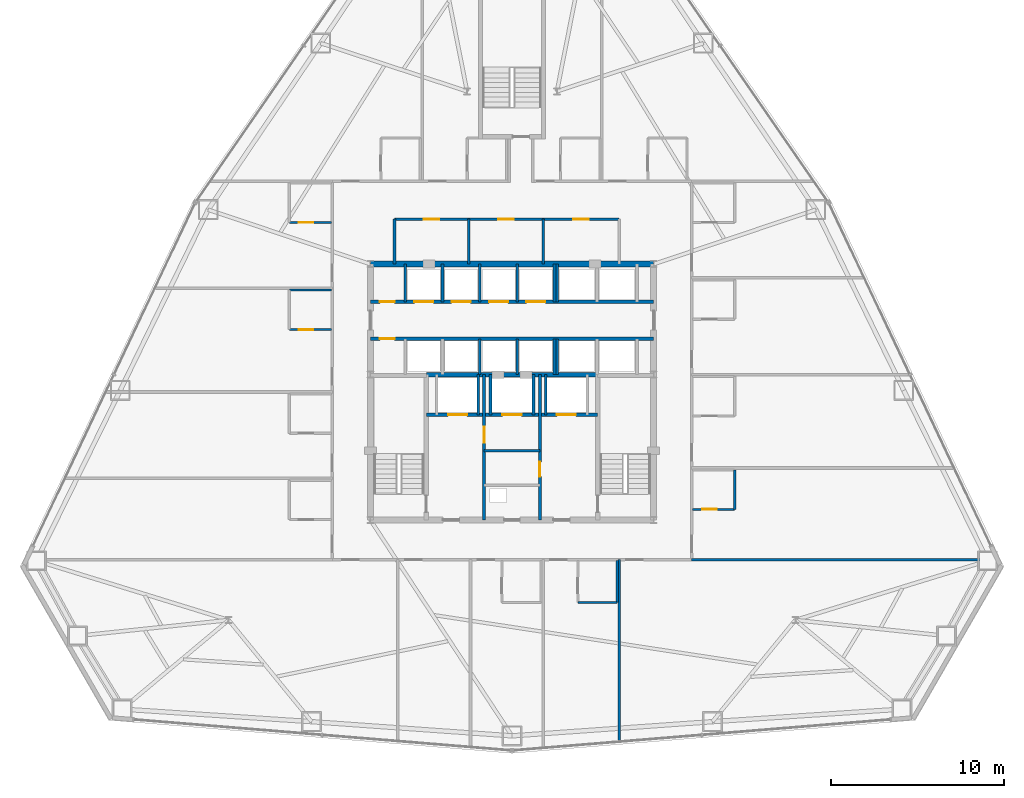
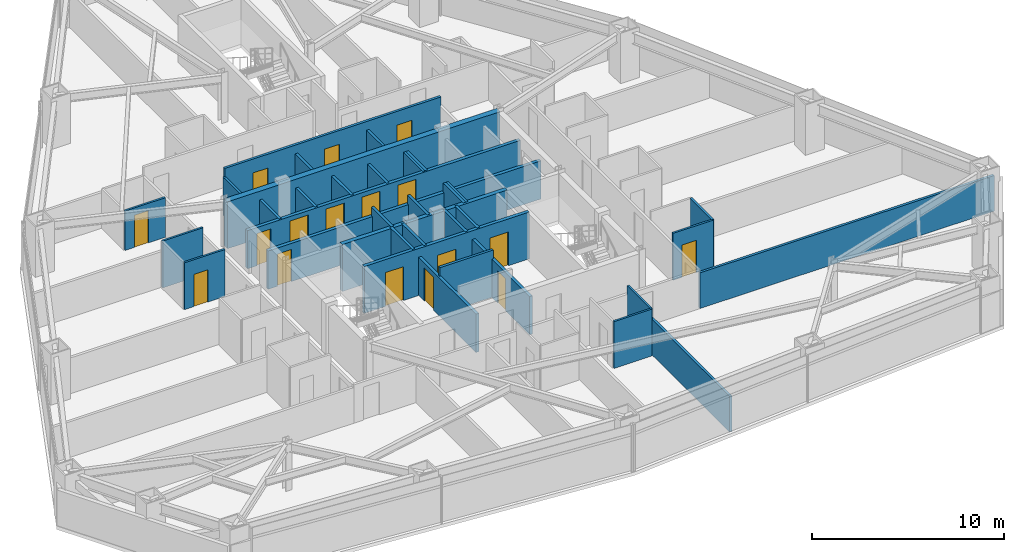
# One storey, part 10 of 13: 35 walls, 17 doors, 17 openings.
"""IFC4 building model written with IfcOpenShell, lengths in metres."""

from ifc_helpers import new_model, si_unit, direction, frame, frame_2d, origin, place, context, subcontext, project, spatial, rectangle, extrude, material, layer, layer_set, type_object, element, fill, save


model = new_model("IFC4")

# Units and contexts
model_context = context("Model", 3, precision=1e-05, world=origin(), true_north=direction((0.0, 1.0)))
body_context = subcontext(model_context, "Body", "Model", "MODEL_VIEW")
ifc_project = project(units=[si_unit("LENGTHUNIT", "METRE"), si_unit("AREAUNIT", "SQUARE_METRE"), si_unit("VOLUMEUNIT", "CUBIC_METRE"), si_unit("PLANEANGLEUNIT", "RADIAN"), si_unit("MASSUNIT", "GRAM", prefix="KILO")], contexts=[model_context])

# Site, building, storey
site_placement = place(None, origin())
site = spatial("IfcSite", under=ifc_project, at=site_placement, CompositionType="ELEMENT")
building_placement = place(site_placement, origin())
building = spatial("IfcBuilding", under=site, at=building_placement, Name="Varakhsha Concourse Tower", CompositionType="ELEMENT")
storey_placement = place(building_placement, frame((0.0, 0.0, 49.60009765625)))
storey = spatial("IfcBuildingStorey", under=building, at=storey_placement, Name="L13", CompositionType="ELEMENT", Elevation=49.60009765625)

# Wall
ifc_material_1 = material(Name="Concrete fc 65 MPa", Category="concrete")
ifc_layer_1 = layer(ifc_material_1, 0.35009765625, Name="WL-CORE-350")
ifc_layer_set_1 = layer_set([ifc_layer_1], Name="Concrete fc 65 MPa")
wall_type_1 = type_object("IfcWallType", Name="WL-CORE-350", PredefinedType="SHEAR", material=ifc_layer_set_1)
wall_1_placement = place(storey_placement, frame((31.800048828125, 31.199951171875, 0.0), z_axis=(0.0, 0.0, 1.0), x_axis=(1.0, 0.0, 0.0)))
element("IfcWall", 1, at=wall_1_placement, inside=storey, type_object=wall_type_1, Name="L13 Wall CWALL-N-L13", PredefinedType="SHEAR", context=body_context, shape_type="SweptSolid", body=[
    extrude(rectangle(XDim=16.39990234375, YDim=0.35009765625, at=frame_2d((8.199951171875, 0.0))), origin(), (0.0, 0.0, 1.0), 2.97998046875),
])

# Wall, opening, door
ifc_material_2 = material(Name="Fire-Rated Type X Gypsum Partition Assembly", Category="gypsum")
ifc_layer_2 = layer(ifc_material_2, 0.179931640625, Name="WL-FFLOB-180")
ifc_layer_set_2 = layer_set([ifc_layer_2], Name="Fire-Rated Type X Gypsum Partition Assembly")
wall_type_2 = type_object("IfcWallType", Name="WL-FFLOB-180", PredefinedType="PARTITIONING", material=ifc_layer_set_2)
wall_2_placement = place(storey_placement, frame((38.389892578125, 16.39990234375, 0.0), z_axis=(0.0, 0.0, 1.0), x_axis=(0.0, 1.0, 0.0)))
wall_2 = element("IfcWall", 2, at=wall_2_placement, inside=storey, type_object=wall_type_2, Name="L13 Wall FFW-1E-L13", PredefinedType="PARTITIONING", context=body_context, shape_type="SweptSolid", body=[
    extrude(rectangle(XDim=8.400146484375, YDim=0.179931640625, at=frame_2d((4.2001953125, 0.0))), origin(), (0.0, 0.0, 1.0), 2.430908203125),
])
opening_1_placement = place(wall_2_placement, frame((4.449951171875, 0.0, 0.0)))
opening_1 = element("IfcOpeningElement", 3, at=opening_1_placement, cuts=wall_2, Name="Opening DF-05", PredefinedType="OPENING", context=body_context, shape_type="SweptSolid", body=[
    extrude(rectangle(XDim=0.949951171875, YDim=2.10009765625, at=frame_2d((0.47509765625, 1.050048828125))), frame((0.0, 0.099853515625, 0.0), z_axis=(0.0, -1.0, 0.0), x_axis=(1.0, 0.0, 0.0)), (0.0, 0.0, 1.0), 0.199951171875),
])
ifc_material_3 = material(Name="Hollow Galvanised Steel Fire Door Assembly", Category="steel")
door_type_1 = type_object("IfcDoorType", Name="DR-FD60-950", OperationType="NOTDEFINED", PredefinedType="DOOR", material=ifc_material_3)
door_1_placement = place(opening_1_placement, origin())
door_1 = element("IfcDoor", 4, at=door_1_placement, inside=storey, type_object=door_type_1, Name="L13 Service Vestibule Door", OperationType="SINGLE_SWING_RIGHT", OverallHeight=2.10009765625, OverallWidth=0.949951171875, PredefinedType="DOOR", context=body_context, shape_type="SweptSolid", body=[
    extrude(rectangle(XDim=0.949951171875, YDim=2.10009765625, at=frame_2d((0.47509765625, 1.050048828125))), frame((0.0, 0.02490234375, 0.0), z_axis=(0.0, -1.0, 0.0), x_axis=(1.0, 0.0, 0.0)), (0.0, 0.0, 1.0), 0.050048828125),
])
fill(opening_1, door_1)

wall_3_placement = place(storey_placement, frame((41.610107421875, 16.39990234375, 0.0), z_axis=(0.0, 0.0, 1.0), x_axis=(0.0, 1.0, 0.0)))
wall_3 = element("IfcWall", 5, at=wall_3_placement, inside=storey, type_object=wall_type_2, Name="L13 Wall FFW-2W-L13", PredefinedType="PARTITIONING", context=body_context, shape_type="SweptSolid", body=[
    extrude(rectangle(XDim=8.400146484375, YDim=0.179931640625, at=frame_2d((4.2001953125, 0.0))), origin(), (0.0, 0.0, 1.0), 2.430908203125),
])
opening_2_placement = place(wall_3_placement, frame((2.5, 0.0, 0.0)))
opening_2 = element("IfcOpeningElement", 6, at=opening_2_placement, cuts=wall_3, Name="Opening DF-07", PredefinedType="OPENING", context=body_context, shape_type="SweptSolid", body=[
    extrude(rectangle(XDim=0.85009765625, YDim=2.050048828125, at=frame_2d((0.425048828125, 1.02490234375))), frame((0.0, 0.099853515625, 0.0), z_axis=(0.0, -1.0, 0.0), x_axis=(1.0, 0.0, 0.0)), (0.0, 0.0, 1.0), 0.199951171875),
])
door_type_2 = type_object("IfcDoorType", Name="DR-FD60-850", OperationType="NOTDEFINED", PredefinedType="DOOR", material=ifc_material_3)
door_2_placement = place(opening_2_placement, origin())
door_2 = element("IfcDoor", 7, at=door_2_placement, inside=storey, type_object=door_type_2, Name="L13 Telecoms Node Door", OperationType="SINGLE_SWING_LEFT", OverallHeight=2.050048828125, OverallWidth=0.85009765625, PredefinedType="DOOR", context=body_context, shape_type="SweptSolid", body=[
    extrude(rectangle(XDim=0.85009765625, YDim=2.050048828125, at=frame_2d((0.425048828125, 1.02490234375))), frame((0.0, 0.02490234375, 0.0), z_axis=(0.0, -1.0, 0.0), x_axis=(1.0, 0.0, 0.0)), (0.0, 0.0, 1.0), 0.050048828125),
])
fill(opening_2, door_2)

# Walls
ifc_material_4 = material(Name="Acoustic Gypsum Board Partition Assembly", Category="gypsum")
ifc_layer_3 = layer(ifc_material_4, 0.1201171875, Name="WL-PART-120")
ifc_layer_set_3 = layer_set([ifc_layer_3], Name="Acoustic Gypsum Board Partition Assembly")
wall_type_3 = type_object("IfcWallType", Name="WL-PART-120", PredefinedType="PARTITIONING", material=ifc_layer_set_3)
wall_4_placement = place(storey_placement, frame((46.090087890625, 11.610107421875, 0.0), z_axis=(0.0, 0.0, 1.0), x_axis=(0.0, 1.0, 0.0)))
element("IfcWall", 8, at=wall_4_placement, inside=storey, type_object=wall_type_3, Name="L13 Wall ENSW-E-L13-H04", PredefinedType="PARTITIONING", context=body_context, shape_type="SweptSolid", body=[
    extrude(rectangle(XDim=2.429931640625, YDim=0.1201171875, at=frame_2d((1.21484375, 0.0))), origin(), (0.0, 0.0, 1.0), 2.97998046875),
])
wall_5_placement = place(storey_placement, frame((43.81005859375, 11.610107421875, 0.0), z_axis=(0.0, 0.0, 1.0), x_axis=(1.0, 0.0, 0.0)))
element("IfcWall", 9, at=wall_5_placement, inside=storey, type_object=wall_type_3, Name="L13 Wall ENSW-S-L13-H04", PredefinedType="PARTITIONING", context=body_context, shape_type="SweptSolid", body=[
    extrude(rectangle(XDim=2.280029296875, YDim=0.1201171875, at=frame_2d((1.14013671875, 0.0))), origin(), (0.0, 0.0, 1.0), 2.97998046875),
])

# Wall, opening, door
wall_6_placement = place(storey_placement, frame((27.110107421875, 27.409912109375, 0.0), z_axis=(0.0, 0.0, 1.0), x_axis=(1.0, 0.0, 0.0)))
wall_6 = element("IfcWall", 10, at=wall_6_placement, inside=storey, type_object=wall_type_3, Name="L13 Wall ENSW-S-L13-H08", PredefinedType="PARTITIONING", context=body_context, shape_type="SweptSolid", body=[
    extrude(rectangle(XDim=2.429931640625, YDim=0.1201171875, at=frame_2d((1.21484375, 0.0))), origin(), (0.0, 0.0, 1.0), 2.97998046875),
])
opening_3_placement = place(wall_6_placement, frame((0.550048828125, 0.0, 0.0)))
opening_3 = element("IfcOpeningElement", 11, at=opening_3_placement, cuts=wall_6, Name="Opening DI-01", PredefinedType="OPENING", context=body_context, shape_type="SweptSolid", body=[
    extrude(rectangle(XDim=0.85009765625, YDim=2.050048828125, at=frame_2d((0.425048828125, 1.02490234375))), frame((0.0, 0.070068359375, 0.0), z_axis=(0.0, -1.0, 0.0), x_axis=(1.0, 0.0, 0.0)), (0.0, 0.0, 1.0), 0.14013671875),
])
ifc_material_5 = material(Name="Architectural Walnut Acoustic Timber Door", Category="wood")
door_type_3 = type_object("IfcDoorType", Name="DR-INT-850", OperationType="NOTDEFINED", PredefinedType="DOOR", material=ifc_material_5)
door_3_placement = place(opening_3_placement, origin())
door_3 = element("IfcDoor", 12, at=door_3_placement, inside=storey, type_object=door_type_3, Name="L13 En-suite Bathroom Door L13-H08", OperationType="SINGLE_SWING_RIGHT", OverallHeight=2.050048828125, OverallWidth=0.85009765625, PredefinedType="DOOR", context=body_context, shape_type="SweptSolid", body=[
    extrude(rectangle(XDim=0.85009765625, YDim=2.050048828125, at=frame_2d((0.425048828125, 1.02490234375))), frame((0.0, 0.02490234375, 0.0), z_axis=(0.0, -1.0, 0.0), x_axis=(1.0, 0.0, 0.0)), (0.0, 0.0, 1.0), 0.050048828125),
])
fill(opening_3, door_3)

# Wall
wall_7_placement = place(storey_placement, frame((27.110107421875, 29.68994140625, 0.0), z_axis=(0.0, 0.0, 1.0), x_axis=(1.0, 0.0, 0.0)))
element("IfcWall", 13, at=wall_7_placement, inside=storey, type_object=wall_type_3, Name="L13 Wall ENSW-N-L13-H08", PredefinedType="PARTITIONING", context=body_context, shape_type="SweptSolid", body=[
    extrude(rectangle(XDim=2.429931640625, YDim=0.1201171875, at=frame_2d((1.21484375, 0.0))), origin(), (0.0, 0.0, 1.0), 2.97998046875),
])

# Wall, opening, door
wall_8_placement = place(storey_placement, frame((27.110107421875, 33.610107421875, 0.0), z_axis=(0.0, 0.0, 1.0), x_axis=(1.0, 0.0, 0.0)))
wall_8 = element("IfcWall", 14, at=wall_8_placement, inside=storey, type_object=wall_type_3, Name="L13 Wall ENSW-S-L13-H09", PredefinedType="PARTITIONING", context=body_context, shape_type="SweptSolid", body=[
    extrude(rectangle(XDim=2.429931640625, YDim=0.1201171875, at=frame_2d((1.21484375, 0.0))), origin(), (0.0, 0.0, 1.0), 2.512939453125),
])
opening_4_placement = place(wall_8_placement, frame((0.550048828125, 0.0, 0.0)))
opening_4 = element("IfcOpeningElement", 15, at=opening_4_placement, cuts=wall_8, Name="Opening DI-01", PredefinedType="OPENING", context=body_context, shape_type="SweptSolid", body=[
    extrude(rectangle(XDim=0.85009765625, YDim=2.050048828125, at=frame_2d((0.425048828125, 1.02490234375))), frame((0.0, 0.070068359375, 0.0), z_axis=(0.0, -1.0, 0.0), x_axis=(1.0, 0.0, 0.0)), (0.0, 0.0, 1.0), 0.14013671875),
])
door_4_placement = place(opening_4_placement, origin())
door_4 = element("IfcDoor", 16, at=door_4_placement, inside=storey, type_object=door_type_3, Name="L13 En-suite Bathroom Door L13-H09", OperationType="SINGLE_SWING_RIGHT", OverallHeight=2.050048828125, OverallWidth=0.85009765625, PredefinedType="DOOR", context=body_context, shape_type="SweptSolid", body=[
    extrude(rectangle(XDim=0.85009765625, YDim=2.050048828125, at=frame_2d((0.425048828125, 1.02490234375))), frame((0.0, 0.02490234375, 0.0), z_axis=(0.0, -1.0, 0.0), x_axis=(1.0, 0.0, 0.0)), (0.0, 0.0, 1.0), 0.050048828125),
])
fill(opening_4, door_4)

# Wall
wall_9_placement = place(storey_placement, frame((52.889892578125, 17.010009765625, 0.0), z_axis=(0.0, 0.0, 1.0), x_axis=(0.0, 1.0, 0.0)))
element("IfcWall", 17, at=wall_9_placement, inside=storey, type_object=wall_type_3, Name="L13 Wall ENSW-E-L13-H10", PredefinedType="PARTITIONING", context=body_context, shape_type="SweptSolid", body=[
    extrude(rectangle(XDim=2.280029296875, YDim=0.1201171875, at=frame_2d((1.14013671875, 0.0))), origin(), (0.0, 0.0, 1.0), 2.97998046875),
])

# Wall, opening, door
wall_10_placement = place(storey_placement, frame((50.4599609375, 17.010009765625, 0.0), z_axis=(0.0, 0.0, 1.0), x_axis=(1.0, 0.0, 0.0)))
wall_10 = element("IfcWall", 18, at=wall_10_placement, inside=storey, type_object=wall_type_3, Name="L13 Wall ENSW-S-L13-H10", PredefinedType="PARTITIONING", context=body_context, shape_type="SweptSolid", body=[
    extrude(rectangle(XDim=2.429931640625, YDim=0.1201171875, at=frame_2d((1.21484375, 0.0))), origin(), (0.0, 0.0, 1.0), 2.97998046875),
])
opening_5_placement = place(wall_10_placement, frame((0.550048828125, 0.0, 0.0)))
opening_5 = element("IfcOpeningElement", 19, at=opening_5_placement, cuts=wall_10, Name="Opening DI-01", PredefinedType="OPENING", context=body_context, shape_type="SweptSolid", body=[
    extrude(rectangle(XDim=0.85009765625, YDim=2.050048828125, at=frame_2d((0.425048828125, 1.02490234375))), frame((0.0, 0.070068359375, 0.0), z_axis=(0.0, -1.0, 0.0), x_axis=(1.0, 0.0, 0.0)), (0.0, 0.0, 1.0), 0.14013671875),
])
door_5_placement = place(opening_5_placement, origin())
door_5 = element("IfcDoor", 20, at=door_5_placement, inside=storey, type_object=door_type_3, Name="L13 En-suite Bathroom Door L13-H10", OperationType="SINGLE_SWING_RIGHT", OverallHeight=2.050048828125, OverallWidth=0.85009765625, PredefinedType="DOOR", context=body_context, shape_type="SweptSolid", body=[
    extrude(rectangle(XDim=0.85009765625, YDim=2.050048828125, at=frame_2d((0.425048828125, 1.02490234375))), frame((0.0, 0.02490234375, 0.0), z_axis=(0.0, -1.0, 0.0), x_axis=(1.0, 0.0, 0.0)), (0.0, 0.0, 1.0), 0.050048828125),
])
fill(opening_5, door_5)

# Wall
ifc_layer_4 = layer(ifc_material_2, 0.14990234375, Name="WL-PART-150")
ifc_layer_set_4 = layer_set([ifc_layer_4], Name="Fire-Rated Type X Gypsum Partition Assembly")
wall_type_4 = type_object("IfcWallType", Name="WL-PART-150", PredefinedType="PARTITIONING", material=ifc_layer_set_4)
wall_11_placement = place(storey_placement, frame((38.389892578125, 20.39990234375, 0.0), z_axis=(0.0, 0.0, 1.0), x_axis=(1.0, 0.0, 0.0)))
element("IfcWall", 21, at=wall_11_placement, inside=storey, type_object=wall_type_4, Name="L13 Wall RSW-H2-L13", PredefinedType="PARTITIONING", context=body_context, shape_type="SweptSolid", body=[
    extrude(rectangle(XDim=3.22021484375, YDim=0.14990234375, at=frame_2d((1.610107421875, 0.0))), origin(), (0.0, 0.0, 1.0), 2.97998046875),
])

# Wall, openings, doors
wall_12_placement = place(storey_placement, frame((33.199951171875, 33.800048828125, 0.0), z_axis=(0.0, 0.0, 1.0), x_axis=(1.0, 0.0, 0.0)))
wall_12 = element("IfcWall", 22, at=wall_12_placement, inside=storey, type_object=wall_type_4, Name="L13 Wall NBOH-N-L13", PredefinedType="PARTITIONING", context=body_context, shape_type="SweptSolid", body=[
    extrude(rectangle(XDim=13.0, YDim=0.14990234375, at=frame_2d((6.5, 0.0))), origin(), (0.0, 0.0, 1.0), 2.97998046875),
])
opening_6_placement = place(wall_12_placement, frame((1.699951171875, 0.0, 0.0)))
opening_6 = element("IfcOpeningElement", 23, at=opening_6_placement, cuts=wall_12, Name="Opening DF-06", PredefinedType="OPENING", context=body_context, shape_type="SweptSolid", body=[
    extrude(rectangle(XDim=0.89990234375, YDim=2.10009765625, at=frame_2d((0.449951171875, 1.050048828125))), frame((0.0, 0.0849609375, 0.0), z_axis=(0.0, -1.0, 0.0), x_axis=(1.0, 0.0, 0.0)), (0.0, 0.0, 1.0), 0.169921875),
])
opening_7_placement = place(wall_12_placement, frame((6.0, 0.0, 0.0)))
opening_7 = element("IfcOpeningElement", 24, at=opening_7_placement, cuts=wall_12, Name="Opening DF-06", PredefinedType="OPENING", context=body_context, shape_type="SweptSolid", body=[
    extrude(rectangle(XDim=0.89990234375, YDim=2.10009765625, at=frame_2d((0.449951171875, 1.050048828125))), frame((0.0, 0.0849609375, 0.0), z_axis=(0.0, -1.0, 0.0), x_axis=(1.0, 0.0, 0.0)), (0.0, 0.0, 1.0), 0.169921875),
])
opening_8_placement = place(wall_12_placement, frame((10.35009765625, 0.0, 0.0)))
opening_8 = element("IfcOpeningElement", 25, at=opening_8_placement, cuts=wall_12, Name="Opening DF-06", PredefinedType="OPENING", context=body_context, shape_type="SweptSolid", body=[
    extrude(rectangle(XDim=0.89990234375, YDim=2.10009765625, at=frame_2d((0.449951171875, 1.050048828125))), frame((0.0, 0.0849609375, 0.0), z_axis=(0.0, -1.0, 0.0), x_axis=(1.0, 0.0, 0.0)), (0.0, 0.0, 1.0), 0.169921875),
])
door_type_4 = type_object("IfcDoorType", Name="DR-FD60-900", OperationType="NOTDEFINED", PredefinedType="DOOR", material=ifc_material_3)
door_6_placement = place(opening_6_placement, origin())
door_6 = element("IfcDoor", 26, at=door_6_placement, inside=storey, type_object=door_type_4, Name="L13 Housekeeping and Linen Room Door", OperationType="SINGLE_SWING_LEFT", OverallHeight=2.10009765625, OverallWidth=0.89990234375, PredefinedType="DOOR", context=body_context, shape_type="SweptSolid", body=[
    extrude(rectangle(XDim=0.89990234375, YDim=2.10009765625, at=frame_2d((0.449951171875, 1.050048828125))), frame((0.0, 0.02490234375, 0.0), z_axis=(0.0, -1.0, 0.0), x_axis=(1.0, 0.0, 0.0)), (0.0, 0.0, 1.0), 0.050048828125),
])
fill(opening_6, door_6)
door_7_placement = place(opening_7_placement, origin())
door_7 = element("IfcDoor", 27, at=door_7_placement, inside=storey, type_object=door_type_4, Name="L13 Accessible WC Door", OperationType="SINGLE_SWING_RIGHT", OverallHeight=2.10009765625, OverallWidth=0.89990234375, PredefinedType="DOOR", context=body_context, shape_type="SweptSolid", body=[
    extrude(rectangle(XDim=0.89990234375, YDim=2.10009765625, at=frame_2d((0.449951171875, 1.050048828125))), frame((0.0, 0.02490234375, 0.0), z_axis=(0.0, -1.0, 0.0), x_axis=(1.0, 0.0, 0.0)), (0.0, 0.0, 1.0), 0.050048828125),
])
fill(opening_7, door_7)
door_8_placement = place(opening_8_placement, origin())
door_8 = element("IfcDoor", 28, at=door_8_placement, inside=storey, type_object=door_type_4, Name="L13 Staff Restroom WC Door", OperationType="SINGLE_SWING_LEFT", OverallHeight=2.10009765625, OverallWidth=0.89990234375, PredefinedType="DOOR", context=body_context, shape_type="SweptSolid", body=[
    extrude(rectangle(XDim=0.89990234375, YDim=2.10009765625, at=frame_2d((0.449951171875, 1.050048828125))), frame((0.0, 0.02490234375, 0.0), z_axis=(0.0, -1.0, 0.0), x_axis=(1.0, 0.0, 0.0)), (0.0, 0.0, 1.0), 0.050048828125),
])
fill(opening_8, door_8)

# Walls
for number, where, z_axis, x_axis, name in (
    (29, (33.199951171875, 31.199951171875, 0.0), (0.0, 0.0, 1.0), (0.0, 1.0, 0.0), "L13 Wall NBOH-W-L13"),
    (30, (37.5, 31.199951171875, 0.0), (0.0, 0.0, 1.0), (0.0, 1.0, 0.0), "L13 Wall NBOH-D1-L13"),
    (31, (41.800048828125, 31.199951171875, 0.0), (0.0, 0.0, 1.0), (0.0, 1.0, 0.0), "L13 Wall NBOH-D2-L13"),
):
    element("IfcWall", number, at=place(storey_placement, frame(where, z_axis=z_axis, x_axis=x_axis)), inside=storey, type_object=wall_type_4, Name=name, PredefinedType="PARTITIONING", context=body_context, shape_type="SweptSolid", body=[
        extrude(rectangle(XDim=2.60009765625, YDim=0.14990234375, at=frame_2d((1.300048828125, 0.0))), origin(), (0.0, 0.0, 1.0), 2.430908203125),
    ])
wall_13_placement = place(storey_placement, frame((46.199951171875, 3.560791015625, 0.0), z_axis=(0.0, 0.0, 1.0), x_axis=(0.0, 1.0, 0.0)))
element("IfcWall", 32, at=wall_13_placement, inside=storey, type_object=wall_type_4, Name="L13 Wall HDIV-S4-L13", PredefinedType="PARTITIONING", context=body_context, shape_type="SweptSolid", body=[
    extrude(rectangle(XDim=10.539306640625, YDim=0.14990234375, at=frame_2d((5.26953125, 0.0))), origin(), (0.0, 0.0, 1.0), 2.267822265625),
])
wall_14_placement = place(storey_placement, frame((50.39990234375, 14.10009765625, 0.0), z_axis=(0.0, 0.0, 1.0), x_axis=(1.0, 0.0, 0.0)))
element("IfcWall", 33, at=wall_14_placement, inside=storey, type_object=wall_type_4, Name="L13 Wall HDIV-EB0-L13", PredefinedType="PARTITIONING", context=body_context, shape_type="SweptSolid", body=[
    extrude(rectangle(XDim=17.693603515625, YDim=0.14990234375, at=frame_2d((8.8466796875, 0.0))), origin(), (0.0, 0.0, 1.0), 2.267822265625),
])

# Wall, openings, doors
ifc_layer_5 = layer(ifc_material_2, 0.199951171875, Name="WL-SHAFT-220")
ifc_layer_set_5 = layer_set([ifc_layer_5], Name="Fire-Rated Type X Gypsum Partition Assembly")
wall_type_5 = type_object("IfcWallType", Name="WL-SHAFT-220", PredefinedType="SOLIDWALL", material=ifc_layer_set_5)
wall_15_placement = place(storey_placement, frame((35.044921875, 22.47998046875, 0.0), z_axis=(0.0, 0.0, 1.0), x_axis=(1.0, 0.0, 0.0)))
wall_15 = element("IfcWall", 34, at=wall_15_placement, inside=storey, type_object=wall_type_5, Name="L13 Wall FFW-NH-L13", PredefinedType="SOLIDWALL", context=body_context, shape_type="SweptSolid", body=[
    extrude(rectangle(XDim=9.91015625, YDim=0.199951171875, at=frame_2d((4.955078125, 0.0))), origin(), (0.0, 0.0, 1.0), 2.97998046875),
])
opening_9_placement = place(wall_15_placement, frame((1.2548828125, 0.0, 0.0)))
opening_9 = element("IfcOpeningElement", 35, at=opening_9_placement, cuts=wall_15, Name="Opening LD-FFL-1", PredefinedType="OPENING", context=body_context, shape_type="SweptSolid", body=[
    extrude(rectangle(XDim=1.10009765625, YDim=2.14990234375, at=frame_2d((0.550048828125, 1.074951171875))), frame((0.0, 0.10986328125, 0.0), z_axis=(0.0, -1.0, 0.0), x_axis=(1.0, 0.0, 0.0)), (0.0, 0.0, 1.0), 0.219970703125),
])
opening_10_placement = place(wall_15_placement, frame((7.554931640625, 0.0, 0.0)))
opening_10 = element("IfcOpeningElement", 36, at=opening_10_placement, cuts=wall_15, Name="Opening LD-FFL-2", PredefinedType="OPENING", context=body_context, shape_type="SweptSolid", body=[
    extrude(rectangle(XDim=1.10009765625, YDim=2.14990234375, at=frame_2d((0.550048828125, 1.074951171875))), frame((0.0, 0.10986328125, 0.0), z_axis=(0.0, -1.0, 0.0), x_axis=(1.0, 0.0, 0.0)), (0.0, 0.0, 1.0), 0.219970703125),
])
opening_11_placement = place(wall_15_placement, frame((4.405029296875, 0.0, 0.0)))
opening_11 = element("IfcOpeningElement", 37, at=opening_11_placement, cuts=wall_15, Name="Opening LD-SVL-1", PredefinedType="OPENING", context=body_context, shape_type="SweptSolid", body=[
    extrude(rectangle(XDim=1.10009765625, YDim=2.14990234375, at=frame_2d((0.550048828125, 1.074951171875))), frame((0.0, 0.10986328125, 0.0), z_axis=(0.0, -1.0, 0.0), x_axis=(1.0, 0.0, 0.0)), (0.0, 0.0, 1.0), 0.219970703125),
])
ifc_material_6 = material(Name="Brushed Austenitic Stainless Steel AISI 316", Category="steel")
door_type_5 = type_object("IfcDoorType", Name="DR-LD-1100", OperationType="DOUBLE_DOOR_SLIDING", PredefinedType="DOOR", material=ifc_material_6)
door_9_placement = place(opening_9_placement, origin())
door_9 = element("IfcDoor", 38, at=door_9_placement, inside=storey, type_object=door_type_5, Name="Lift Landing Door FFL-1 L13", OperationType="DOUBLE_DOOR_SLIDING", OverallHeight=2.14990234375, OverallWidth=1.10009765625, PredefinedType="DOOR", context=body_context, shape_type="SweptSolid", body=[
    extrude(rectangle(XDim=1.10009765625, YDim=2.14990234375, at=frame_2d((0.550048828125, 1.074951171875))), frame((0.0, 0.02490234375, 0.0), z_axis=(0.0, -1.0, 0.0), x_axis=(1.0, 0.0, 0.0)), (0.0, 0.0, 1.0), 0.050048828125),
])
fill(opening_9, door_9)
door_10_placement = place(opening_10_placement, origin())
door_10 = element("IfcDoor", 39, at=door_10_placement, inside=storey, type_object=door_type_5, Name="Lift Landing Door FFL-2 L13", OperationType="DOUBLE_DOOR_SLIDING", OverallHeight=2.14990234375, OverallWidth=1.10009765625, PredefinedType="DOOR", context=body_context, shape_type="SweptSolid", body=[
    extrude(rectangle(XDim=1.10009765625, YDim=2.14990234375, at=frame_2d((0.550048828125, 1.074951171875))), frame((0.0, 0.02490234375, 0.0), z_axis=(0.0, -1.0, 0.0), x_axis=(1.0, 0.0, 0.0)), (0.0, 0.0, 1.0), 0.050048828125),
])
fill(opening_10, door_10)
door_11_placement = place(opening_11_placement, origin())
door_11 = element("IfcDoor", 40, at=door_11_placement, inside=storey, type_object=door_type_5, Name="Lift Landing Door SVL-1 L13", OperationType="DOUBLE_DOOR_SLIDING", OverallHeight=2.14990234375, OverallWidth=1.10009765625, PredefinedType="DOOR", context=body_context, shape_type="SweptSolid", body=[
    extrude(rectangle(XDim=1.10009765625, YDim=2.14990234375, at=frame_2d((0.550048828125, 1.074951171875))), frame((0.0, 0.02490234375, 0.0), z_axis=(0.0, -1.0, 0.0), x_axis=(1.0, 0.0, 0.0)), (0.0, 0.0, 1.0), 0.050048828125),
])
fill(opening_11, door_11)

# Walls
for number, where, z_axis, x_axis, name in (
    (41, (38.050048828125, 22.47998046875, 0.0), (0.0, 0.0, 1.0), (0.0, 1.0, 0.0), "L13 Wall SHW-FFL-1-E-L13"),
    (42, (41.949951171875, 22.47998046875, 0.0), (0.0, 0.0, 1.0), (0.0, 1.0, 0.0), "L13 Wall SHW-FFL-2-W-L13"),
    (43, (38.75, 22.47998046875, 0.0), (0.0, 0.0, 1.0), (0.0, 1.0, 0.0), "L13 Wall SHW-SVL-1-W-L13"),
    (44, (41.25, 22.47998046875, 0.0), (0.0, 0.0, 1.0), (0.0, 1.0, 0.0), "L13 Wall SHW-SVL-1-E-L13"),
):
    element("IfcWall", number, at=place(storey_placement, frame(where, z_axis=z_axis, x_axis=x_axis)), inside=storey, type_object=wall_type_5, Name=name, PredefinedType="SOLIDWALL", context=body_context, shape_type="SweptSolid", body=[
        extrude(rectangle(XDim=2.320068359375, YDim=0.159912109375, at=frame_2d((1.16015625, 0.0))), origin(), (0.0, 0.0, 1.0), 2.97998046875),
    ])

# Wall, openings, doors
wall_16_placement = place(storey_placement, frame((31.800048828125, 29.02001953125, 0.0), z_axis=(0.0, 0.0, 1.0), x_axis=(1.0, 0.0, 0.0)))
wall_16 = element("IfcWall", 45, at=wall_16_placement, inside=storey, type_object=wall_type_5, Name="L13 Wall PLW-N-L13", PredefinedType="SOLIDWALL", context=body_context, shape_type="SweptSolid", body=[
    extrude(rectangle(XDim=16.39990234375, YDim=0.199951171875, at=frame_2d((8.199951171875, 0.0))), origin(), (0.0, 0.0, 1.0), 2.430908203125),
])
opening_12_placement = place(wall_16_placement, frame((0.550048828125, 0.0, 0.0)))
opening_12 = element("IfcOpeningElement", 46, at=opening_12_placement, cuts=wall_16, Name="Opening DF-07", PredefinedType="OPENING", context=body_context, shape_type="SweptSolid", body=[
    extrude(rectangle(XDim=0.85009765625, YDim=2.050048828125, at=frame_2d((0.425048828125, 1.02490234375))), frame((0.0, 0.10986328125, 0.0), z_axis=(0.0, -1.0, 0.0), x_axis=(1.0, 0.0, 0.0)), (0.0, 0.0, 1.0), 0.219970703125),
])
opening_13_placement = place(wall_16_placement, frame((2.550048828125, 0.0, 0.0)))
opening_13 = element("IfcOpeningElement", 47, at=opening_13_placement, cuts=wall_16, Name="Opening LD-LF-P01", PredefinedType="OPENING", context=body_context, shape_type="SweptSolid", body=[
    extrude(rectangle(XDim=1.10009765625, YDim=2.14990234375, at=frame_2d((0.550048828125, 1.074951171875))), frame((0.0, 0.10986328125, 0.0), z_axis=(0.0, -1.0, 0.0), x_axis=(1.0, 0.0, 0.0)), (0.0, 0.0, 1.0), 0.219970703125),
])
opening_14_placement = place(wall_16_placement, frame((4.7099609375, 0.0, 0.0)))
opening_14 = element("IfcOpeningElement", 48, at=opening_14_placement, cuts=wall_16, Name="Opening LD-LF-P02", PredefinedType="OPENING", context=body_context, shape_type="SweptSolid", body=[
    extrude(rectangle(XDim=1.10009765625, YDim=2.14990234375, at=frame_2d((0.550048828125, 1.074951171875))), frame((0.0, 0.10986328125, 0.0), z_axis=(0.0, -1.0, 0.0), x_axis=(1.0, 0.0, 0.0)), (0.0, 0.0, 1.0), 0.219970703125),
])
opening_15_placement = place(wall_16_placement, frame((6.8701171875, 0.0, 0.0)))
opening_15 = element("IfcOpeningElement", 49, at=opening_15_placement, cuts=wall_16, Name="Opening LD-LF-P03", PredefinedType="OPENING", context=body_context, shape_type="SweptSolid", body=[
    extrude(rectangle(XDim=1.10009765625, YDim=2.14990234375, at=frame_2d((0.550048828125, 1.074951171875))), frame((0.0, 0.10986328125, 0.0), z_axis=(0.0, -1.0, 0.0), x_axis=(1.0, 0.0, 0.0)), (0.0, 0.0, 1.0), 0.219970703125),
])
opening_16_placement = place(wall_16_placement, frame((9.030029296875, 0.0, 0.0)))
opening_16 = element("IfcOpeningElement", 50, at=opening_16_placement, cuts=wall_16, Name="Opening LD-LF-P04", PredefinedType="OPENING", context=body_context, shape_type="SweptSolid", body=[
    extrude(rectangle(XDim=1.10009765625, YDim=2.14990234375, at=frame_2d((0.550048828125, 1.074951171875))), frame((0.0, 0.10986328125, 0.0), z_axis=(0.0, -1.0, 0.0), x_axis=(1.0, 0.0, 0.0)), (0.0, 0.0, 1.0), 0.219970703125),
])
door_12_placement = place(opening_12_placement, origin())
door_12 = element("IfcDoor", 51, at=door_12_placement, inside=storey, type_object=door_type_2, Name="L13 Core Janitor Closet Door", OperationType="SINGLE_SWING_LEFT", OverallHeight=2.050048828125, OverallWidth=0.85009765625, PredefinedType="DOOR", context=body_context, shape_type="SweptSolid", body=[
    extrude(rectangle(XDim=0.85009765625, YDim=2.050048828125, at=frame_2d((0.425048828125, 1.02490234375))), frame((0.0, 0.02490234375, 0.0), z_axis=(0.0, -1.0, 0.0), x_axis=(1.0, 0.0, 0.0)), (0.0, 0.0, 1.0), 0.050048828125),
])
fill(opening_12, door_12)
door_13_placement = place(opening_13_placement, origin())
door_13 = element("IfcDoor", 52, at=door_13_placement, inside=storey, type_object=door_type_5, Name="Lift Landing Door LF-P01 L13", OperationType="DOUBLE_DOOR_SLIDING", OverallHeight=2.14990234375, OverallWidth=1.10009765625, PredefinedType="DOOR", context=body_context, shape_type="SweptSolid", body=[
    extrude(rectangle(XDim=1.10009765625, YDim=2.14990234375, at=frame_2d((0.550048828125, 1.074951171875))), frame((0.0, 0.02490234375, 0.0), z_axis=(0.0, -1.0, 0.0), x_axis=(1.0, 0.0, 0.0)), (0.0, 0.0, 1.0), 0.050048828125),
])
fill(opening_13, door_13)
door_14_placement = place(opening_14_placement, origin())
door_14 = element("IfcDoor", 53, at=door_14_placement, inside=storey, type_object=door_type_5, Name="Lift Landing Door LF-P02 L13", OperationType="DOUBLE_DOOR_SLIDING", OverallHeight=2.14990234375, OverallWidth=1.10009765625, PredefinedType="DOOR", context=body_context, shape_type="SweptSolid", body=[
    extrude(rectangle(XDim=1.10009765625, YDim=2.14990234375, at=frame_2d((0.550048828125, 1.074951171875))), frame((0.0, 0.02490234375, 0.0), z_axis=(0.0, -1.0, 0.0), x_axis=(1.0, 0.0, 0.0)), (0.0, 0.0, 1.0), 0.050048828125),
])
fill(opening_14, door_14)
door_15_placement = place(opening_15_placement, origin())
door_15 = element("IfcDoor", 54, at=door_15_placement, inside=storey, type_object=door_type_5, Name="Lift Landing Door LF-P03 L13", OperationType="DOUBLE_DOOR_SLIDING", OverallHeight=2.14990234375, OverallWidth=1.10009765625, PredefinedType="DOOR", context=body_context, shape_type="SweptSolid", body=[
    extrude(rectangle(XDim=1.10009765625, YDim=2.14990234375, at=frame_2d((0.550048828125, 1.074951171875))), frame((0.0, 0.02490234375, 0.0), z_axis=(0.0, -1.0, 0.0), x_axis=(1.0, 0.0, 0.0)), (0.0, 0.0, 1.0), 0.050048828125),
])
fill(opening_15, door_15)
door_16_placement = place(opening_16_placement, origin())
door_16 = element("IfcDoor", 55, at=door_16_placement, inside=storey, type_object=door_type_5, Name="Lift Landing Door LF-P04 L13", OperationType="DOUBLE_DOOR_SLIDING", OverallHeight=2.14990234375, OverallWidth=1.10009765625, PredefinedType="DOOR", context=body_context, shape_type="SweptSolid", body=[
    extrude(rectangle(XDim=1.10009765625, YDim=2.14990234375, at=frame_2d((0.550048828125, 1.074951171875))), frame((0.0, 0.02490234375, 0.0), z_axis=(0.0, -1.0, 0.0), x_axis=(1.0, 0.0, 0.0)), (0.0, 0.0, 1.0), 0.050048828125),
])
fill(opening_16, door_16)

# Wall, opening, door
wall_17_placement = place(storey_placement, frame((31.800048828125, 26.8798828125, 0.0), z_axis=(0.0, 0.0, 1.0), x_axis=(1.0, 0.0, 0.0)))
wall_17 = element("IfcWall", 56, at=wall_17_placement, inside=storey, type_object=wall_type_5, Name="L13 Wall PLW-S-L13", PredefinedType="SOLIDWALL", context=body_context, shape_type="SweptSolid", body=[
    extrude(rectangle(XDim=16.39990234375, YDim=0.199951171875, at=frame_2d((8.199951171875, 0.0))), origin(), (0.0, 0.0, 1.0), 2.430908203125),
])
opening_17_placement = place(wall_17_placement, frame((0.550048828125, 0.0, 0.0)))
opening_17 = element("IfcOpeningElement", 57, at=opening_17_placement, cuts=wall_17, Name="Opening DF-07", PredefinedType="OPENING", context=body_context, shape_type="SweptSolid", body=[
    extrude(rectangle(XDim=0.85009765625, YDim=2.050048828125, at=frame_2d((0.425048828125, 1.02490234375))), frame((0.0, 0.10986328125, 0.0), z_axis=(0.0, -1.0, 0.0), x_axis=(1.0, 0.0, 0.0)), (0.0, 0.0, 1.0), 0.219970703125),
])
door_17_placement = place(opening_17_placement, origin())
door_17 = element("IfcDoor", 58, at=door_17_placement, inside=storey, type_object=door_type_2, Name="L13 Core Telecoms Closet Door", OperationType="SINGLE_SWING_RIGHT", OverallHeight=2.050048828125, OverallWidth=0.85009765625, PredefinedType="DOOR", context=body_context, shape_type="SweptSolid", body=[
    extrude(rectangle(XDim=0.85009765625, YDim=2.050048828125, at=frame_2d((0.425048828125, 1.02490234375))), frame((0.0, 0.02490234375, 0.0), z_axis=(0.0, -1.0, 0.0), x_axis=(1.0, 0.0, 0.0)), (0.0, 0.0, 1.0), 0.050048828125),
])
fill(opening_17, door_17)

# Walls
for number, where, z_axis, x_axis, name in (
    (59, (33.820068359375, 29.02001953125, 0.0), (0.0, 0.0, 1.0), (0.0, 1.0, 0.0), "L13 Wall WBOH-E1-L13"),
    (60, (35.97998046875, 29.02001953125, 0.0), (0.0, 0.0, 1.0), (0.0, 1.0, 0.0), "L13 Wall SHW-LF-P01-E-L13"),
    (61, (38.139892578125, 29.02001953125, 0.0), (0.0, 0.0, 1.0), (0.0, 1.0, 0.0), "L13 Wall SHW-LF-P02-E-L13"),
    (62, (40.300048828125, 29.02001953125, 0.0), (0.0, 0.0, 1.0), (0.0, 1.0, 0.0), "L13 Wall SHW-LF-P03-E-L13"),
    (63, (42.4599609375, 29.02001953125, 0.0), (0.0, 0.0, 1.0), (0.0, 1.0, 0.0), "L13 Wall SHW-LF-P04-E-L13"),
):
    element("IfcWall", number, at=place(storey_placement, frame(where, z_axis=z_axis, x_axis=x_axis)), inside=storey, type_object=wall_type_5, Name=name, PredefinedType="SOLIDWALL", context=body_context, shape_type="SweptSolid", body=[
        extrude(rectangle(XDim=2.179931640625, YDim=0.159912109375, at=frame_2d((1.08984375, 0.0))), origin(), (0.0, 0.0, 1.0), 2.430908203125),
    ])
for number, where, z_axis, x_axis, name in (
    (64, (38.139892578125, 24.800048828125, 0.0), (0.0, 0.0, 1.0), (0.0, 1.0, 0.0), "L13 Wall SHW-LF-P06-E-L13"),
    (65, (40.300048828125, 24.800048828125, 0.0), (0.0, 0.0, 1.0), (0.0, 1.0, 0.0), "L13 Wall SHW-LF-P07-E-L13"),
    (66, (42.4599609375, 24.800048828125, 0.0), (0.0, 0.0, 1.0), (0.0, 1.0, 0.0), "L13 Wall SHW-LF-P08-E-L13"),
):
    element("IfcWall", number, at=place(storey_placement, frame(where, z_axis=z_axis, x_axis=x_axis)), inside=storey, type_object=wall_type_5, Name=name, PredefinedType="SOLIDWALL", context=body_context, shape_type="SweptSolid", body=[
        extrude(rectangle(XDim=2.079833984375, YDim=0.159912109375, at=frame_2d((1.0400390625, 0.0))), origin(), (0.0, 0.0, 1.0), 2.97998046875),
    ])
wall_18_placement = place(storey_placement, frame((42.60009765625, 29.02001953125, 0.0), z_axis=(0.0, 0.0, 1.0), x_axis=(0.0, 1.0, 0.0)))
element("IfcWall", 67, at=wall_18_placement, inside=storey, type_object=wall_type_5, Name="L13 Wall SHW-LF-P09-W-L13", PredefinedType="SOLIDWALL", context=body_context, shape_type="SweptSolid", body=[
    extrude(rectangle(XDim=2.179931640625, YDim=0.159912109375, at=frame_2d((1.08984375, 0.0))), origin(), (0.0, 0.0, 1.0), 2.430908203125),
])
wall_19_placement = place(storey_placement, frame((42.60009765625, 24.800048828125, 0.0), z_axis=(0.0, 0.0, 1.0), x_axis=(0.0, 1.0, 0.0)))
element("IfcWall", 68, at=wall_19_placement, inside=storey, type_object=wall_type_5, Name="L13 Wall SHW-LF-P11-W-L13", PredefinedType="SOLIDWALL", context=body_context, shape_type="SweptSolid", body=[
    extrude(rectangle(XDim=2.079833984375, YDim=0.159912109375, at=frame_2d((1.0400390625, 0.0))), origin(), (0.0, 0.0, 1.0), 2.97998046875),
])
ifc_material_7 = material(Name="Concrete fc 45 MPa", Category="concrete")
ifc_layer_6 = layer(ifc_material_7, 0.25, Name="WL-STAIR-250")
ifc_layer_set_6 = layer_set([ifc_layer_6], Name="Concrete fc 45 MPa")
wall_type_6 = type_object("IfcWallType", Name="WL-STAIR-250", PredefinedType="SHEAR", material=ifc_layer_set_6)
wall_20_placement = place(storey_placement, frame((35.044921875, 24.800048828125, 0.0), z_axis=(0.0, 0.0, 1.0), x_axis=(1.0, 0.0, 0.0)))
element("IfcWall", 69, at=wall_20_placement, inside=storey, type_object=wall_type_6, Name="L13 Wall SWALL-MID-H-L13", PredefinedType="SHEAR", context=body_context, shape_type="SweptSolid", body=[
    extrude(rectangle(XDim=9.91015625, YDim=0.25, at=frame_2d((4.955078125, 0.0))), origin(), (0.0, 0.0, 1.0), 2.97998046875),
])

save(model, "model.ifc")
